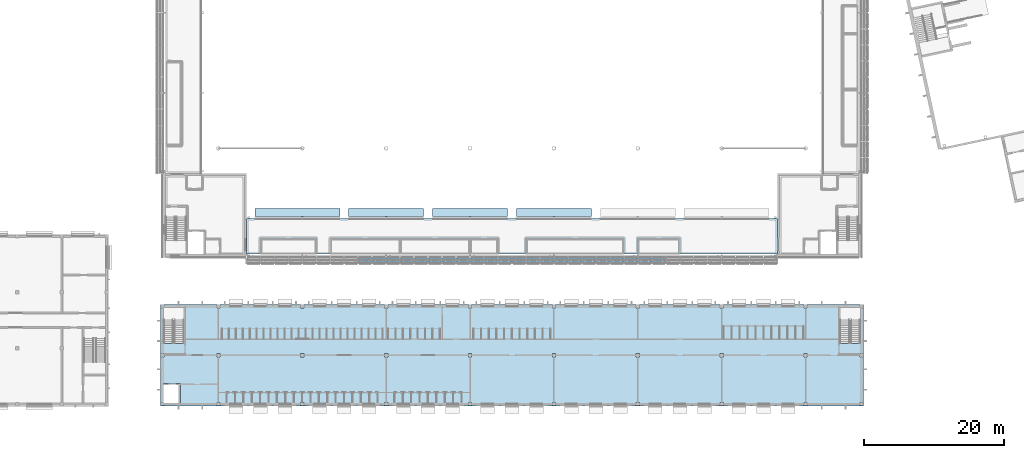
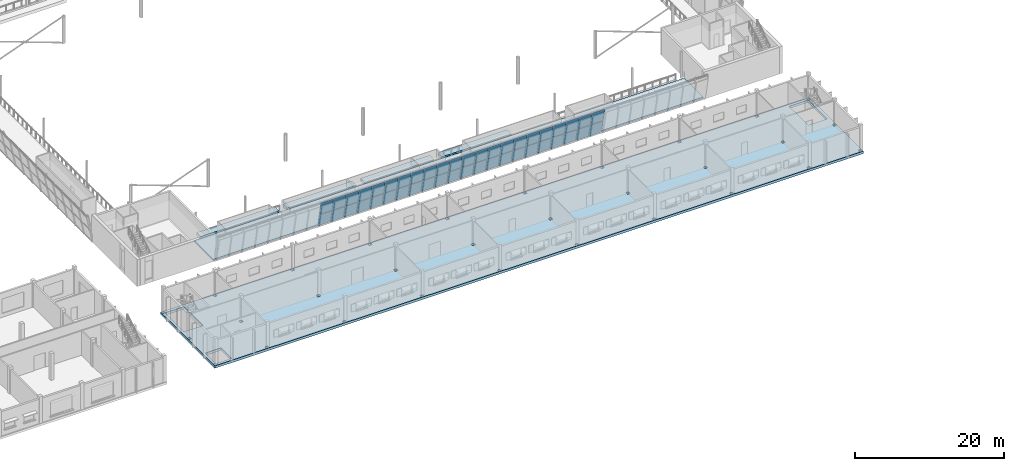
# One storey, part 50 of 115: 44 plates, 6 slabs, 2 elements without a shape of their own.
"""IFC4 building model written with IfcOpenShell, lengths in metres."""

from ifc_helpers import new_model, si_unit, direction, frame, origin, place, context, subcontext, project, spatial, polyline, outline, extrude, material, layer, layer_set, type_object, element, aggregate, save


model = new_model("IFC4")

# Units and contexts
model_context = context("Model", 3, precision=1e-05, world=origin(), true_north=direction((0.0, 1.0)))
body_context = subcontext(model_context, "Body", "Model", "MODEL_VIEW")
ifc_project = project(units=[si_unit("LENGTHUNIT", "METRE"), si_unit("AREAUNIT", "SQUARE_METRE"), si_unit("VOLUMEUNIT", "CUBIC_METRE"), si_unit("PLANEANGLEUNIT", "RADIAN"), si_unit("MASSUNIT", "GRAM", prefix="KILO")], contexts=[model_context])

# Site, building, storey
site_placement = place(None, origin())
site = spatial("IfcSite", under=ifc_project, at=site_placement, CompositionType="ELEMENT")
building_placement = place(site_placement, origin())
building = spatial("IfcBuilding", under=site, at=building_placement, Name="Windward Yard Aquatics Centre", CompositionType="ELEMENT")
storey_placement = place(building_placement, frame((0.0, 0.0, 5.0)))
storey = spatial("IfcBuildingStorey", under=building, at=storey_placement, Name="L01", CompositionType="ELEMENT", Elevation=5.0)

# Slabs
ifc_material_1 = material(Name="Concrete C35/45", Category="concrete")
ifc_layer_1 = layer(ifc_material_1, 0.39990234375)
ifc_layer_set_1 = layer_set([ifc_layer_1], Name="C floor slab 400")
slab_type_1 = type_object("IfcSlabType", Name="C floor slab 400", PredefinedType="FLOOR", material=ifc_layer_set_1)
slab_1_placement = place(storey_placement, frame((0.0, 0.0, -0.39990234375)))
element("IfcSlab", 1, at=slab_1_placement, inside=storey, type_object=slab_type_1, Name="C.S.L01", PredefinedType="FLOOR", context=body_context, shape_type="SweptSolid", body=[
    extrude(outline(polyline([(51.72509765625, 4.72509765625), (152.27490234375, 4.72509765625), (152.27490234375, 19.27490234375), (51.72509765625, 19.27490234375), (51.72509765625, 4.72509765625)]), holes=[polyline([(51.77490234375, 4.77490234375), (51.77490234375, 5.22509765625), (52.14990234375, 5.22509765625), (52.14990234375, 7.949951171875), (54.550048828125, 7.949951171875), (54.550048828125, 5.14990234375), (52.22509765625, 5.14990234375), (52.22509765625, 4.77490234375), (51.77490234375, 4.77490234375)]), polyline([(95.77490234375, 4.77490234375), (95.77490234375, 5.22509765625), (96.22509765625, 5.22509765625), (96.22509765625, 4.77490234375), (95.77490234375, 4.77490234375)]), polyline([(59.77490234375, 4.77490234375), (59.77490234375, 5.22509765625), (60.22509765625, 5.22509765625), (60.22509765625, 4.77490234375), (59.77490234375, 4.77490234375)]), polyline([(71.77490234375, 4.77490234375), (71.77490234375, 5.22509765625), (72.22509765625, 5.22509765625), (72.22509765625, 4.77490234375), (71.77490234375, 4.77490234375)]), polyline([(83.77490234375, 4.77490234375), (83.77490234375, 5.22509765625), (84.22509765625, 5.22509765625), (84.22509765625, 4.77490234375), (83.77490234375, 4.77490234375)]), polyline([(95.77490234375, 11.77490234375), (95.77490234375, 12.22509765625), (96.22509765625, 12.22509765625), (96.22509765625, 11.77490234375), (95.77490234375, 11.77490234375)]), polyline([(59.77490234375, 11.77490234375), (59.77490234375, 12.22509765625), (60.22509765625, 12.22509765625), (60.22509765625, 11.77490234375), (59.77490234375, 11.77490234375)]), polyline([(51.77490234375, 11.77490234375), (51.77490234375, 12.22509765625), (52.22509765625, 12.22509765625), (52.22509765625, 11.77490234375), (51.77490234375, 11.77490234375)]), polyline([(71.77490234375, 11.77490234375), (71.77490234375, 12.22509765625), (72.22509765625, 12.22509765625), (72.22509765625, 11.77490234375), (71.77490234375, 11.77490234375)]), polyline([(83.77490234375, 11.77490234375), (83.77490234375, 12.22509765625), (84.22509765625, 12.22509765625), (84.22509765625, 11.77490234375), (83.77490234375, 11.77490234375)]), polyline([(51.77490234375, 18.77490234375), (51.77490234375, 19.22509765625), (52.22509765625, 19.22509765625), (52.22509765625, 18.800048828125), (55.10009765625, 18.800048828125), (55.10009765625, 13.7099609375), (52.14990234375, 13.7099609375), (52.14990234375, 18.77490234375), (51.77490234375, 18.77490234375)]), polyline([(71.77490234375, 18.77490234375), (71.77490234375, 19.22509765625), (72.22509765625, 19.22509765625), (72.22509765625, 18.77490234375), (71.77490234375, 18.77490234375)]), polyline([(95.77490234375, 18.77490234375), (95.77490234375, 19.22509765625), (96.22509765625, 19.22509765625), (96.22509765625, 18.77490234375), (95.77490234375, 18.77490234375)]), polyline([(83.77490234375, 18.77490234375), (83.77490234375, 19.22509765625), (84.22509765625, 19.22509765625), (84.22509765625, 18.77490234375), (83.77490234375, 18.77490234375)]), polyline([(59.77490234375, 18.77490234375), (59.77490234375, 19.22509765625), (60.22509765625, 19.22509765625), (60.22509765625, 18.77490234375), (59.77490234375, 18.77490234375)]), polyline([(107.77490234375, 4.77490234375), (107.77490234375, 5.22509765625), (108.22509765625, 5.22509765625), (108.22509765625, 4.77490234375), (107.77490234375, 4.77490234375)]), polyline([(119.77490234375, 4.77490234375), (119.77490234375, 5.22509765625), (120.22509765625, 5.22509765625), (120.22509765625, 4.77490234375), (119.77490234375, 4.77490234375)]), polyline([(131.77490234375, 4.77490234375), (131.77490234375, 5.22509765625), (132.22509765625, 5.22509765625), (132.22509765625, 4.77490234375), (131.77490234375, 4.77490234375)]), polyline([(143.77490234375, 4.77490234375), (143.77490234375, 5.22509765625), (144.22509765625, 5.22509765625), (144.22509765625, 4.77490234375), (143.77490234375, 4.77490234375)]), polyline([(151.77490234375, 4.77490234375), (151.77490234375, 5.22509765625), (152.22509765625, 5.22509765625), (152.22509765625, 4.77490234375), (151.77490234375, 4.77490234375)]), polyline([(107.77490234375, 11.77490234375), (107.77490234375, 12.22509765625), (108.22509765625, 12.22509765625), (108.22509765625, 11.77490234375), (107.77490234375, 11.77490234375)]), polyline([(119.77490234375, 11.77490234375), (119.77490234375, 12.22509765625), (120.22509765625, 12.22509765625), (120.22509765625, 11.77490234375), (119.77490234375, 11.77490234375)]), polyline([(131.77490234375, 11.77490234375), (131.77490234375, 12.22509765625), (132.22509765625, 12.22509765625), (132.22509765625, 11.77490234375), (131.77490234375, 11.77490234375)]), polyline([(143.77490234375, 11.77490234375), (143.77490234375, 12.22509765625), (144.22509765625, 12.22509765625), (144.22509765625, 11.77490234375), (143.77490234375, 11.77490234375)]), polyline([(151.77490234375, 11.77490234375), (151.77490234375, 12.22509765625), (152.22509765625, 12.22509765625), (152.22509765625, 11.77490234375), (151.77490234375, 11.77490234375)]), polyline([(148.89990234375, 13.7099609375), (148.89990234375, 18.800048828125), (151.77490234375, 18.800048828125), (151.77490234375, 19.22509765625), (152.22509765625, 19.22509765625), (152.22509765625, 18.77490234375), (151.85009765625, 18.77490234375), (151.85009765625, 13.7099609375), (148.89990234375, 13.7099609375)]), polyline([(107.77490234375, 18.77490234375), (107.77490234375, 19.22509765625), (108.22509765625, 19.22509765625), (108.22509765625, 18.77490234375), (107.77490234375, 18.77490234375)]), polyline([(119.77490234375, 18.77490234375), (119.77490234375, 19.22509765625), (120.22509765625, 19.22509765625), (120.22509765625, 18.77490234375), (119.77490234375, 18.77490234375)]), polyline([(131.77490234375, 18.77490234375), (131.77490234375, 19.22509765625), (132.22509765625, 19.22509765625), (132.22509765625, 18.77490234375), (131.77490234375, 18.77490234375)]), polyline([(143.77490234375, 18.77490234375), (143.77490234375, 19.22509765625), (144.22509765625, 19.22509765625), (144.22509765625, 18.77490234375), (143.77490234375, 18.77490234375)])]), origin(), (0.0, 0.0, 1.0), 0.39990234375),
])
ifc_layer_2 = layer(ifc_material_1, 0.25)
ifc_layer_set_2 = layer_set([ifc_layer_2], Name="H concourse slab 250 C35/45")
slab_type_2 = type_object("IfcSlabType", Name="H concourse slab 250 C35/45", PredefinedType="FLOOR", material=ifc_layer_set_2)
slab_2_placement = place(storey_placement, frame((0.0, 0.0, -0.25)))
element("IfcSlab", 2, at=slab_2_placement, inside=storey, type_object=slab_type_2, Name="H.CS.S", PredefinedType="FLOOR", context=body_context, shape_type="SweptSolid", body=[
    extrude(outline(polyline([(64.0, 26.449951171875), (140.0, 26.449951171875), (140.0, 31.5595703125), (64.0, 31.5595703125), (64.0, 26.449951171875)])), origin(), (0.0, 0.0, 1.0), 0.25),
])
ifc_layer_3 = layer(ifc_material_1, 0.51611328125)
ifc_layer_set_3 = layer_set([ifc_layer_3], Name="H gangway slab 516 C35/45")
slab_type_3 = type_object("IfcSlabType", Name="H gangway slab 516 C35/45", PredefinedType="FLOOR", material=ifc_layer_set_3)
slab_3_placement = place(storey_placement, frame((0.0, 0.0, -0.51611328125)))
element("IfcSlab", 3, at=slab_3_placement, inside=storey, type_object=slab_type_3, Name="H.GW.S.1", PredefinedType="FLOOR", context=body_context, shape_type="SweptSolid", body=[
    extrude(outline(polyline([(65.25, 31.859619140625), (77.375, 31.859619140625), (77.375, 33.0), (65.25, 33.0), (65.25, 31.859619140625)])), origin(), (0.0, 0.0, 1.0), 0.51611328125),
])
slab_4_placement = place(storey_placement, frame((0.0, 0.0, -0.51611328125)))
element("IfcSlab", 4, at=slab_4_placement, inside=storey, type_object=slab_type_3, Name="H.GW.S.2", PredefinedType="FLOOR", context=body_context, shape_type="SweptSolid", body=[
    extrude(outline(polyline([(78.625, 31.859619140625), (89.375, 31.859619140625), (89.375, 33.0), (78.625, 33.0), (78.625, 31.859619140625)])), origin(), (0.0, 0.0, 1.0), 0.51611328125),
])
slab_5_placement = place(storey_placement, frame((0.0, 0.0, -0.51611328125)))
element("IfcSlab", 5, at=slab_5_placement, inside=storey, type_object=slab_type_3, Name="H.GW.S.3", PredefinedType="FLOOR", context=body_context, shape_type="SweptSolid", body=[
    extrude(outline(polyline([(90.625, 31.859619140625), (101.375, 31.859619140625), (101.375, 33.0), (90.625, 33.0), (90.625, 31.859619140625)])), origin(), (0.0, 0.0, 1.0), 0.51611328125),
])
slab_6_placement = place(storey_placement, frame((0.0, 0.0, -0.51611328125)))
element("IfcSlab", 6, at=slab_6_placement, inside=storey, type_object=slab_type_3, Name="H.GW.S.4", PredefinedType="FLOOR", context=body_context, shape_type="SweptSolid", body=[
    extrude(outline(polyline([(102.625, 31.859619140625), (113.375, 31.859619140625), (113.375, 33.0), (102.625, 33.0), (102.625, 31.859619140625)])), origin(), (0.0, 0.0, 1.0), 0.51611328125),
])

# Curtain wall, plates
ifc_material_2 = material(Name="Glass and aluminium curtain wall", Category="aluminium")
ifc_layer_4 = layer(ifc_material_2, 0.179931640625)
ifc_layer_set_4 = layer_set([ifc_layer_4], Name="H curtain wall tier 1 double glazed 8+16+8")
curtain_wall_type = type_object("IfcCurtainWallType", Name="H curtain wall tier 1 double glazed 8+16+8", PredefinedType="NOTDEFINED", material=ifc_layer_set_4)
curtain_wall_1_placement = place(storey_placement, origin())
curtain_wall_1 = element("IfcCurtainWall", 7, at=curtain_wall_1_placement, inside=storey, type_object=curtain_wall_type, Name="Tier 1 glazing S L01", PredefinedType="NOTDEFINED")
ifc_material_3 = material(Name="Low-iron glass", Category="glass")
ifc_layer_5 = layer(ifc_material_3, 0.008, Name="Outer pane")
ifc_material_4 = material(Name="Argon-filled cavity")
ifc_layer_6 = layer(ifc_material_4, 0.016, Name="Cavity")
ifc_layer_7 = layer(ifc_material_3, 0.008, Name="Inner pane")
ifc_layer_set_5 = layer_set([ifc_layer_5, ifc_layer_6, ifc_layer_7], Name="H tier 1 glass low-e double glazed unit 32")
plate_type = type_object("IfcPlateType", Name="H tier 1 glass low-e double glazed unit 32", PredefinedType="CURTAIN_PANEL", material=ifc_layer_set_5)
plate_1_placement = place(storey_placement, frame((80.0302734375, 25.669921875, 2.154296875), z_axis=(0.0, 0.979937049238, 0.19930724907), x_axis=(0.0, 0.19930724907, -0.979937049238)))
plate_1 = element("IfcPlate", 8, at=plate_1_placement, type_object=plate_type, Name="G1SA panel 9.1", PredefinedType="CURTAIN_PANEL", context=body_context, shape_type="SweptSolid", body=[
    extrude(outline(polyline([(0.0, 0.0), (2.088533, 0.0), (2.088533, -1.934814), (0.0, -1.934814), (0.0, 0.0)])), origin(), (0.0, 0.0, -1.0), 0.031982421875),
])
plate_2_placement = place(storey_placement, frame((80.0302734375, 25.232177734375, 4.30517578125), z_axis=(0.0, 0.979920842931, 0.199386914289), x_axis=(0.0, 0.199386914289, -0.979920842931)))
plate_2 = element("IfcPlate", 9, at=plate_2_placement, type_object=plate_type, Name="G1SA panel 9.2", PredefinedType="CURTAIN_PANEL", context=body_context, shape_type="SweptSolid", body=[
    extrude(outline(polyline([(0.0, 0.0), (2.095045, 0.0), (2.095045, -1.934814), (0.0, -1.934814), (0.0, 0.0)])), origin(), (0.0, 0.0, -1.0), 0.031982421875),
])
plate_3_placement = place(storey_placement, frame((82.030029296875, 25.669921875, 2.154296875), z_axis=(0.0, 0.979937049238, 0.19930724907), x_axis=(0.0, 0.19930724907, -0.979937049238)))
plate_3 = element("IfcPlate", 10, at=plate_3_placement, type_object=plate_type, Name="G1SA panel 10.1", PredefinedType="CURTAIN_PANEL", context=body_context, shape_type="SweptSolid", body=[
    extrude(outline(polyline([(0.0, 0.0), (2.088533, 0.0), (2.088533, -1.934814), (0.0, -1.934814), (0.0, 0.0)])), origin(), (0.0, 0.0, -1.0), 0.031982421875),
])
plate_4_placement = place(storey_placement, frame((82.030029296875, 25.232177734375, 4.30517578125), z_axis=(0.0, 0.979920842931, 0.199386914289), x_axis=(0.0, 0.199386914289, -0.979920842931)))
plate_4 = element("IfcPlate", 11, at=plate_4_placement, type_object=plate_type, Name="G1SA panel 10.2", PredefinedType="CURTAIN_PANEL", context=body_context, shape_type="SweptSolid", body=[
    extrude(outline(polyline([(0.0, 0.0), (2.095045, 0.0), (2.095045, -1.934814), (0.0, -1.934814), (0.0, 0.0)])), origin(), (0.0, 0.0, -1.0), 0.031982421875),
])
plate_5_placement = place(storey_placement, frame((84.02978515625, 25.669921875, 2.154296875), z_axis=(0.0, 0.979937049238, 0.19930724907), x_axis=(0.0, 0.19930724907, -0.979937049238)))
plate_5 = element("IfcPlate", 12, at=plate_5_placement, type_object=plate_type, Name="G1SA panel 11.1", PredefinedType="CURTAIN_PANEL", context=body_context, shape_type="SweptSolid", body=[
    extrude(outline(polyline([(0.0, 0.0), (2.088533, 0.0), (2.088533, -1.934814), (0.0, -1.934814), (0.0, 0.0)])), origin(), (0.0, 0.0, -1.0), 0.031982421875),
])
plate_6_placement = place(storey_placement, frame((84.02978515625, 25.232177734375, 4.30517578125), z_axis=(0.0, 0.979920842931, 0.199386914289), x_axis=(0.0, 0.199386914289, -0.979920842931)))
plate_6 = element("IfcPlate", 13, at=plate_6_placement, type_object=plate_type, Name="G1SA panel 11.2", PredefinedType="CURTAIN_PANEL", context=body_context, shape_type="SweptSolid", body=[
    extrude(outline(polyline([(0.0, 0.0), (2.095045, 0.0), (2.095045, -1.934814), (0.0, -1.934814), (0.0, 0.0)])), origin(), (0.0, 0.0, -1.0), 0.031982421875),
])
plate_7_placement = place(storey_placement, frame((86.029541015625, 25.669921875, 2.154296875), z_axis=(0.0, 0.979937049238, 0.19930724907), x_axis=(0.0, 0.19930724907, -0.979937049238)))
plate_7 = element("IfcPlate", 14, at=plate_7_placement, type_object=plate_type, Name="G1SA panel 12.1", PredefinedType="CURTAIN_PANEL", context=body_context, shape_type="SweptSolid", body=[
    extrude(outline(polyline([(0.0, 0.0), (2.088533, 0.0), (2.088533, -1.934814), (0.0, -1.934814), (0.0, 0.0)])), origin(), (0.0, 0.0, -1.0), 0.031982421875),
])
plate_8_placement = place(storey_placement, frame((86.029541015625, 25.232177734375, 4.30517578125), z_axis=(0.0, 0.979920842931, 0.199386914289), x_axis=(0.0, 0.199386914289, -0.979920842931)))
plate_8 = element("IfcPlate", 15, at=plate_8_placement, type_object=plate_type, Name="G1SA panel 12.2", PredefinedType="CURTAIN_PANEL", context=body_context, shape_type="SweptSolid", body=[
    extrude(outline(polyline([(0.0, 0.0), (2.095045, 0.0), (2.095045, -1.934814), (0.0, -1.934814), (0.0, 0.0)])), origin(), (0.0, 0.0, -1.0), 0.031982421875),
])
plate_9_placement = place(storey_placement, frame((88.029296875, 25.669921875, 2.154296875), z_axis=(0.0, 0.979937049238, 0.19930724907), x_axis=(0.0, 0.19930724907, -0.979937049238)))
plate_9 = element("IfcPlate", 16, at=plate_9_placement, type_object=plate_type, Name="G1SA panel 13.1", PredefinedType="CURTAIN_PANEL", context=body_context, shape_type="SweptSolid", body=[
    extrude(outline(polyline([(0.0, 0.0), (2.088533, 0.0), (2.088533, -1.934814), (0.0, -1.934814), (0.0, 0.0)])), origin(), (0.0, 0.0, -1.0), 0.031982421875),
])
plate_10_placement = place(storey_placement, frame((88.029296875, 25.232177734375, 4.30517578125), z_axis=(0.0, 0.979920842931, 0.199386914289), x_axis=(0.0, 0.199386914289, -0.979920842931)))
plate_10 = element("IfcPlate", 17, at=plate_10_placement, type_object=plate_type, Name="G1SA panel 13.2", PredefinedType="CURTAIN_PANEL", context=body_context, shape_type="SweptSolid", body=[
    extrude(outline(polyline([(0.0, 0.0), (2.095045, 0.0), (2.095045, -1.934814), (0.0, -1.934814), (0.0, 0.0)])), origin(), (0.0, 0.0, -1.0), 0.031982421875),
])
plate_11_placement = place(storey_placement, frame((90.029052734375, 25.669921875, 2.154296875), z_axis=(0.0, 0.979937049238, 0.19930724907), x_axis=(0.0, 0.19930724907, -0.979937049238)))
plate_11 = element("IfcPlate", 18, at=plate_11_placement, type_object=plate_type, Name="G1SA panel 14.1", PredefinedType="CURTAIN_PANEL", context=body_context, shape_type="SweptSolid", body=[
    extrude(outline(polyline([(0.0, 0.0), (2.088533, 0.0), (2.088533, -1.934814), (0.0, -1.934814), (0.0, 0.0)])), origin(), (0.0, 0.0, -1.0), 0.031982421875),
])
plate_12_placement = place(storey_placement, frame((90.029052734375, 25.232177734375, 4.30517578125), z_axis=(0.0, 0.979920842931, 0.199386914289), x_axis=(0.0, 0.199386914289, -0.979920842931)))
plate_12 = element("IfcPlate", 19, at=plate_12_placement, type_object=plate_type, Name="G1SA panel 14.2", PredefinedType="CURTAIN_PANEL", context=body_context, shape_type="SweptSolid", body=[
    extrude(outline(polyline([(0.0, 0.0), (2.095045, 0.0), (2.095045, -1.934814), (0.0, -1.934814), (0.0, 0.0)])), origin(), (0.0, 0.0, -1.0), 0.031982421875),
])
plate_13_placement = place(storey_placement, frame((92.02880859375, 25.669921875, 2.154296875), z_axis=(0.0, 0.979937049238, 0.19930724907), x_axis=(0.0, 0.19930724907, -0.979937049238)))
plate_13 = element("IfcPlate", 20, at=plate_13_placement, type_object=plate_type, Name="G1SA panel 15.1", PredefinedType="CURTAIN_PANEL", context=body_context, shape_type="SweptSolid", body=[
    extrude(outline(polyline([(0.0, 0.0), (2.088533, 0.0), (2.088533, -1.934814), (0.0, -1.934814), (0.0, 0.0)])), origin(), (0.0, 0.0, -1.0), 0.031982421875),
])
plate_14_placement = place(storey_placement, frame((92.02880859375, 25.232177734375, 4.30517578125), z_axis=(0.0, 0.979920842931, 0.199386914289), x_axis=(0.0, 0.199386914289, -0.979920842931)))
plate_14 = element("IfcPlate", 21, at=plate_14_placement, type_object=plate_type, Name="G1SA panel 15.2", PredefinedType="CURTAIN_PANEL", context=body_context, shape_type="SweptSolid", body=[
    extrude(outline(polyline([(0.0, 0.0), (2.095045, 0.0), (2.095045, -1.934814), (0.0, -1.934814), (0.0, 0.0)])), origin(), (0.0, 0.0, -1.0), 0.031982421875),
])
plate_15_placement = place(storey_placement, frame((94.028564453125, 25.669921875, 2.154296875), z_axis=(0.0, 0.979937049238, 0.19930724907), x_axis=(0.0, 0.19930724907, -0.979937049238)))
plate_15 = element("IfcPlate", 22, at=plate_15_placement, type_object=plate_type, Name="G1SA panel 16.1", PredefinedType="CURTAIN_PANEL", context=body_context, shape_type="SweptSolid", body=[
    extrude(outline(polyline([(0.0, 0.0), (2.088533, 0.0), (2.088533, -1.934814), (0.0, -1.934814), (0.0, 0.0)])), origin(), (0.0, 0.0, -1.0), 0.031982421875),
])
plate_16_placement = place(storey_placement, frame((94.028564453125, 25.232177734375, 4.30517578125), z_axis=(0.0, 0.979920842931, 0.199386914289), x_axis=(0.0, 0.199386914289, -0.979920842931)))
plate_16 = element("IfcPlate", 23, at=plate_16_placement, type_object=plate_type, Name="G1SA panel 16.2", PredefinedType="CURTAIN_PANEL", context=body_context, shape_type="SweptSolid", body=[
    extrude(outline(polyline([(0.0, 0.0), (2.095045, 0.0), (2.095045, -1.934814), (0.0, -1.934814), (0.0, 0.0)])), origin(), (0.0, 0.0, -1.0), 0.031982421875),
])
plate_17_placement = place(storey_placement, frame((96.0283203125, 25.669921875, 2.154296875), z_axis=(0.0, 0.979937049238, 0.19930724907), x_axis=(0.0, 0.19930724907, -0.979937049238)))
plate_17 = element("IfcPlate", 24, at=plate_17_placement, type_object=plate_type, Name="G1SA panel 17.1", PredefinedType="CURTAIN_PANEL", context=body_context, shape_type="SweptSolid", body=[
    extrude(outline(polyline([(0.0, 0.0), (2.088533, 0.0), (2.088533, -1.934814), (0.0, -1.934814), (0.0, 0.0)])), origin(), (0.0, 0.0, -1.0), 0.031982421875),
])
plate_18_placement = place(storey_placement, frame((96.0283203125, 25.232177734375, 4.30517578125), z_axis=(0.0, 0.979920842931, 0.199386914289), x_axis=(0.0, 0.199386914289, -0.979920842931)))
plate_18 = element("IfcPlate", 25, at=plate_18_placement, type_object=plate_type, Name="G1SA panel 17.2", PredefinedType="CURTAIN_PANEL", context=body_context, shape_type="SweptSolid", body=[
    extrude(outline(polyline([(0.0, 0.0), (2.095045, 0.0), (2.095045, -1.934814), (0.0, -1.934814), (0.0, 0.0)])), origin(), (0.0, 0.0, -1.0), 0.031982421875),
])
plate_19_placement = place(storey_placement, frame((98.028076171875, 25.669921875, 2.154296875), z_axis=(0.0, 0.979937049238, 0.19930724907), x_axis=(0.0, 0.19930724907, -0.979937049238)))
plate_19 = element("IfcPlate", 26, at=plate_19_placement, type_object=plate_type, Name="G1SA panel 18.1", PredefinedType="CURTAIN_PANEL", context=body_context, shape_type="SweptSolid", body=[
    extrude(outline(polyline([(0.0, 0.0), (2.088533, 0.0), (2.088533, -1.93457), (0.0, -1.93457), (0.0, 0.0)])), origin(), (0.0, 0.0, -1.0), 0.031982421875),
])
plate_20_placement = place(storey_placement, frame((98.028076171875, 25.232177734375, 4.30517578125), z_axis=(0.0, 0.979920842931, 0.199386914289), x_axis=(0.0, 0.199386914289, -0.979920842931)))
plate_20 = element("IfcPlate", 27, at=plate_20_placement, type_object=plate_type, Name="G1SA panel 18.2", PredefinedType="CURTAIN_PANEL", context=body_context, shape_type="SweptSolid", body=[
    extrude(outline(polyline([(0.0, 0.0), (2.095045, 0.0), (2.095045, -1.93457), (0.0, -1.93457), (0.0, 0.0)])), origin(), (0.0, 0.0, -1.0), 0.031982421875),
])
plate_21_placement = place(storey_placement, frame((100.02783203125, 25.669921875, 2.154296875), z_axis=(0.0, 0.979937049238, 0.19930724907), x_axis=(0.0, 0.19930724907, -0.979937049238)))
plate_21 = element("IfcPlate", 28, at=plate_21_placement, type_object=plate_type, Name="G1SA panel 19.1", PredefinedType="CURTAIN_PANEL", context=body_context, shape_type="SweptSolid", body=[
    extrude(outline(polyline([(0.0, 0.0), (2.088533, 0.0), (2.088533, -1.9021), (0.0, -1.9021), (0.0, 0.0)])), origin(), (0.0, 0.0, -1.0), 0.031982421875),
])
plate_22_placement = place(storey_placement, frame((100.02783203125, 25.232177734375, 4.30517578125), z_axis=(0.0, 0.979920842931, 0.199386914289), x_axis=(0.0, 0.199386914289, -0.979920842931)))
plate_22 = element("IfcPlate", 29, at=plate_22_placement, type_object=plate_type, Name="G1SA panel 19.2", PredefinedType="CURTAIN_PANEL", context=body_context, shape_type="SweptSolid", body=[
    extrude(outline(polyline([(0.0, 0.0), (2.095045, 0.0), (2.095045, -1.9021), (0.0, -1.9021), (0.0, 0.0)])), origin(), (0.0, 0.0, -1.0), 0.031982421875),
])
aggregate(curtain_wall_1, [plate_1, plate_2, plate_3, plate_4, plate_5, plate_6, plate_7, plate_8, plate_9, plate_10, plate_11, plate_12, plate_13, plate_14, plate_15, plate_16, plate_17, plate_18, plate_19, plate_20, plate_21, plate_22])

curtain_wall_2_placement = place(storey_placement, origin())
curtain_wall_2 = element("IfcCurtainWall", 30, at=curtain_wall_2_placement, inside=storey, type_object=curtain_wall_type, Name="Tier 1 glazing S L01", PredefinedType="NOTDEFINED")
plate_23_placement = place(storey_placement, frame((102.070068359375, 25.669921875, 2.154296875), z_axis=(0.0, 0.979937049238, 0.19930724907), x_axis=(0.0, 0.19930724907, -0.979937049238)))
plate_23 = element("IfcPlate", 31, at=plate_23_placement, type_object=plate_type, Name="G1SB panel 1.1", PredefinedType="CURTAIN_PANEL", context=body_context, shape_type="SweptSolid", body=[
    extrude(outline(polyline([(0.0, 0.0), (2.088533, 0.0), (2.088533, -1.9021), (0.0, -1.9021), (0.0, 0.0)])), origin(), (0.0, 0.0, -1.0), 0.031982421875),
])
plate_24_placement = place(storey_placement, frame((102.070068359375, 25.232177734375, 4.30517578125), z_axis=(0.0, 0.979920842931, 0.199386914289), x_axis=(0.0, 0.199386914289, -0.979920842931)))
plate_24 = element("IfcPlate", 32, at=plate_24_placement, type_object=plate_type, Name="G1SB panel 1.2", PredefinedType="CURTAIN_PANEL", context=body_context, shape_type="SweptSolid", body=[
    extrude(outline(polyline([(0.0, 0.0), (2.095045, 0.0), (2.095045, -1.9021), (0.0, -1.9021), (0.0, 0.0)])), origin(), (0.0, 0.0, -1.0), 0.031982421875),
])
plate_25_placement = place(storey_placement, frame((104.037353515625, 25.669921875, 2.154296875), z_axis=(0.0, 0.979937049238, 0.19930724907), x_axis=(0.0, 0.19930724907, -0.979937049238)))
plate_25 = element("IfcPlate", 33, at=plate_25_placement, type_object=plate_type, Name="G1SB panel 2.1", PredefinedType="CURTAIN_PANEL", context=body_context, shape_type="SweptSolid", body=[
    extrude(outline(polyline([(0.0, 0.0), (2.088533, 0.0), (2.088533, -1.93457), (0.0, -1.93457), (0.0, 0.0)])), origin(), (0.0, 0.0, -1.0), 0.031982421875),
])
plate_26_placement = place(storey_placement, frame((104.037353515625, 25.232177734375, 4.30517578125), z_axis=(0.0, 0.979920842931, 0.199386914289), x_axis=(0.0, 0.199386914289, -0.979920842931)))
plate_26 = element("IfcPlate", 34, at=plate_26_placement, type_object=plate_type, Name="G1SB panel 2.2", PredefinedType="CURTAIN_PANEL", context=body_context, shape_type="SweptSolid", body=[
    extrude(outline(polyline([(0.0, 0.0), (2.095045, 0.0), (2.095045, -1.93457), (0.0, -1.93457), (0.0, 0.0)])), origin(), (0.0, 0.0, -1.0), 0.031982421875),
])
plate_27_placement = place(storey_placement, frame((106.036865234375, 25.669921875, 2.154296875), z_axis=(0.0, 0.979937049238, 0.19930724907), x_axis=(0.0, 0.19930724907, -0.979937049238)))
plate_27 = element("IfcPlate", 35, at=plate_27_placement, type_object=plate_type, Name="G1SB panel 3.1", PredefinedType="CURTAIN_PANEL", context=body_context, shape_type="SweptSolid", body=[
    extrude(outline(polyline([(0.0, 0.0), (2.088533, 0.0), (2.088533, -1.934814), (0.0, -1.934814), (0.0, 0.0)])), origin(), (0.0, 0.0, -1.0), 0.031982421875),
])
plate_28_placement = place(storey_placement, frame((106.036865234375, 25.232177734375, 4.30517578125), z_axis=(0.0, 0.979920842931, 0.199386914289), x_axis=(0.0, 0.199386914289, -0.979920842931)))
plate_28 = element("IfcPlate", 36, at=plate_28_placement, type_object=plate_type, Name="G1SB panel 3.2", PredefinedType="CURTAIN_PANEL", context=body_context, shape_type="SweptSolid", body=[
    extrude(outline(polyline([(0.0, 0.0), (2.095045, 0.0), (2.095045, -1.934814), (0.0, -1.934814), (0.0, 0.0)])), origin(), (0.0, 0.0, -1.0), 0.031982421875),
])
plate_29_placement = place(storey_placement, frame((108.03662109375, 25.669921875, 2.154296875), z_axis=(0.0, 0.979937049238, 0.19930724907), x_axis=(0.0, 0.19930724907, -0.979937049238)))
plate_29 = element("IfcPlate", 37, at=plate_29_placement, type_object=plate_type, Name="G1SB panel 4.1", PredefinedType="CURTAIN_PANEL", context=body_context, shape_type="SweptSolid", body=[
    extrude(outline(polyline([(0.0, 0.0), (2.088533, 0.0), (2.088533, -1.934814), (0.0, -1.934814), (0.0, 0.0)])), origin(), (0.0, 0.0, -1.0), 0.031982421875),
])
plate_30_placement = place(storey_placement, frame((108.03662109375, 25.232177734375, 4.30517578125), z_axis=(0.0, 0.979920842931, 0.199386914289), x_axis=(0.0, 0.199386914289, -0.979920842931)))
plate_30 = element("IfcPlate", 38, at=plate_30_placement, type_object=plate_type, Name="G1SB panel 4.2", PredefinedType="CURTAIN_PANEL", context=body_context, shape_type="SweptSolid", body=[
    extrude(outline(polyline([(0.0, 0.0), (2.095045, 0.0), (2.095045, -1.934814), (0.0, -1.934814), (0.0, 0.0)])), origin(), (0.0, 0.0, -1.0), 0.031982421875),
])
plate_31_placement = place(storey_placement, frame((110.036376953125, 25.669921875, 2.154296875), z_axis=(0.0, 0.979937049238, 0.19930724907), x_axis=(0.0, 0.19930724907, -0.979937049238)))
plate_31 = element("IfcPlate", 39, at=plate_31_placement, type_object=plate_type, Name="G1SB panel 5.1", PredefinedType="CURTAIN_PANEL", context=body_context, shape_type="SweptSolid", body=[
    extrude(outline(polyline([(0.0, 0.0), (2.088533, 0.0), (2.088533, -1.934814), (0.0, -1.934814), (0.0, 0.0)])), origin(), (0.0, 0.0, -1.0), 0.031982421875),
])
plate_32_placement = place(storey_placement, frame((110.036376953125, 25.232177734375, 4.30517578125), z_axis=(0.0, 0.979920842931, 0.199386914289), x_axis=(0.0, 0.199386914289, -0.979920842931)))
plate_32 = element("IfcPlate", 40, at=plate_32_placement, type_object=plate_type, Name="G1SB panel 5.2", PredefinedType="CURTAIN_PANEL", context=body_context, shape_type="SweptSolid", body=[
    extrude(outline(polyline([(0.0, 0.0), (2.095045, 0.0), (2.095045, -1.934814), (0.0, -1.934814), (0.0, 0.0)])), origin(), (0.0, 0.0, -1.0), 0.031982421875),
])
plate_33_placement = place(storey_placement, frame((112.0361328125, 25.669921875, 2.154296875), z_axis=(0.0, 0.979937049238, 0.19930724907), x_axis=(0.0, 0.19930724907, -0.979937049238)))
plate_33 = element("IfcPlate", 41, at=plate_33_placement, type_object=plate_type, Name="G1SB panel 6.1", PredefinedType="CURTAIN_PANEL", context=body_context, shape_type="SweptSolid", body=[
    extrude(outline(polyline([(0.0, 0.0), (2.088533, 0.0), (2.088533, -1.934814), (0.0, -1.934814), (0.0, 0.0)])), origin(), (0.0, 0.0, -1.0), 0.031982421875),
])
plate_34_placement = place(storey_placement, frame((112.0361328125, 25.232177734375, 4.30517578125), z_axis=(0.0, 0.979920842931, 0.199386914289), x_axis=(0.0, 0.199386914289, -0.979920842931)))
plate_34 = element("IfcPlate", 42, at=plate_34_placement, type_object=plate_type, Name="G1SB panel 6.2", PredefinedType="CURTAIN_PANEL", context=body_context, shape_type="SweptSolid", body=[
    extrude(outline(polyline([(0.0, 0.0), (2.095045, 0.0), (2.095045, -1.934814), (0.0, -1.934814), (0.0, 0.0)])), origin(), (0.0, 0.0, -1.0), 0.031982421875),
])
plate_35_placement = place(storey_placement, frame((114.035888671875, 25.669921875, 2.154296875), z_axis=(0.0, 0.979937049238, 0.19930724907), x_axis=(0.0, 0.19930724907, -0.979937049238)))
plate_35 = element("IfcPlate", 43, at=plate_35_placement, type_object=plate_type, Name="G1SB panel 7.1", PredefinedType="CURTAIN_PANEL", context=body_context, shape_type="SweptSolid", body=[
    extrude(outline(polyline([(0.0, 0.0), (2.088533, 0.0), (2.088533, -1.934814), (0.0, -1.934814), (0.0, 0.0)])), origin(), (0.0, 0.0, -1.0), 0.031982421875),
])
plate_36_placement = place(storey_placement, frame((114.035888671875, 25.232177734375, 4.30517578125), z_axis=(0.0, 0.979920842931, 0.199386914289), x_axis=(0.0, 0.199386914289, -0.979920842931)))
plate_36 = element("IfcPlate", 44, at=plate_36_placement, type_object=plate_type, Name="G1SB panel 7.2", PredefinedType="CURTAIN_PANEL", context=body_context, shape_type="SweptSolid", body=[
    extrude(outline(polyline([(0.0, 0.0), (2.095045, 0.0), (2.095045, -1.934814), (0.0, -1.934814), (0.0, 0.0)])), origin(), (0.0, 0.0, -1.0), 0.031982421875),
])
plate_37_placement = place(storey_placement, frame((116.03564453125, 25.669921875, 2.154296875), z_axis=(0.0, 0.979937049238, 0.19930724907), x_axis=(0.0, 0.19930724907, -0.979937049238)))
plate_37 = element("IfcPlate", 45, at=plate_37_placement, type_object=plate_type, Name="G1SB panel 8.1", PredefinedType="CURTAIN_PANEL", context=body_context, shape_type="SweptSolid", body=[
    extrude(outline(polyline([(0.0, 0.0), (2.088533, 0.0), (2.088533, -1.934814), (0.0, -1.934814), (0.0, 0.0)])), origin(), (0.0, 0.0, -1.0), 0.031982421875),
])
plate_38_placement = place(storey_placement, frame((116.03564453125, 25.232177734375, 4.30517578125), z_axis=(0.0, 0.979920842931, 0.199386914289), x_axis=(0.0, 0.199386914289, -0.979920842931)))
plate_38 = element("IfcPlate", 46, at=plate_38_placement, type_object=plate_type, Name="G1SB panel 8.2", PredefinedType="CURTAIN_PANEL", context=body_context, shape_type="SweptSolid", body=[
    extrude(outline(polyline([(0.0, 0.0), (2.095045, 0.0), (2.095045, -1.934814), (0.0, -1.934814), (0.0, 0.0)])), origin(), (0.0, 0.0, -1.0), 0.031982421875),
])
plate_39_placement = place(storey_placement, frame((118.035400390625, 25.669921875, 2.154296875), z_axis=(0.0, 0.979937049238, 0.19930724907), x_axis=(0.0, 0.19930724907, -0.979937049238)))
plate_39 = element("IfcPlate", 47, at=plate_39_placement, type_object=plate_type, Name="G1SB panel 9.1", PredefinedType="CURTAIN_PANEL", context=body_context, shape_type="SweptSolid", body=[
    extrude(outline(polyline([(0.0, 0.0), (2.088533, 0.0), (2.088533, -1.934814), (0.0, -1.934814), (0.0, 0.0)])), origin(), (0.0, 0.0, -1.0), 0.031982421875),
])
plate_40_placement = place(storey_placement, frame((118.035400390625, 25.232177734375, 4.30517578125), z_axis=(0.0, 0.979920842931, 0.199386914289), x_axis=(0.0, 0.199386914289, -0.979920842931)))
plate_40 = element("IfcPlate", 48, at=plate_40_placement, type_object=plate_type, Name="G1SB panel 9.2", PredefinedType="CURTAIN_PANEL", context=body_context, shape_type="SweptSolid", body=[
    extrude(outline(polyline([(0.0, 0.0), (2.095045, 0.0), (2.095045, -1.934814), (0.0, -1.934814), (0.0, 0.0)])), origin(), (0.0, 0.0, -1.0), 0.031982421875),
])
plate_41_placement = place(storey_placement, frame((120.03515625, 25.669921875, 2.154296875), z_axis=(0.0, 0.979937049238, 0.19930724907), x_axis=(0.0, 0.19930724907, -0.979937049238)))
plate_41 = element("IfcPlate", 49, at=plate_41_placement, type_object=plate_type, Name="G1SB panel 10.1", PredefinedType="CURTAIN_PANEL", context=body_context, shape_type="SweptSolid", body=[
    extrude(outline(polyline([(0.0, 0.0), (2.088533, 0.0), (2.088533, -1.934814), (0.0, -1.934814), (0.0, 0.0)])), origin(), (0.0, 0.0, -1.0), 0.031982421875),
])
plate_42_placement = place(storey_placement, frame((120.03515625, 25.232177734375, 4.30517578125), z_axis=(0.0, 0.979920842931, 0.199386914289), x_axis=(0.0, 0.199386914289, -0.979920842931)))
plate_42 = element("IfcPlate", 50, at=plate_42_placement, type_object=plate_type, Name="G1SB panel 10.2", PredefinedType="CURTAIN_PANEL", context=body_context, shape_type="SweptSolid", body=[
    extrude(outline(polyline([(0.0, 0.0), (2.095045, 0.0), (2.095045, -1.934814), (0.0, -1.934814), (0.0, 0.0)])), origin(), (0.0, 0.0, -1.0), 0.031982421875),
])
plate_43_placement = place(storey_placement, frame((122.034912109375, 25.669921875, 2.154296875), z_axis=(0.0, 0.979937049238, 0.19930724907), x_axis=(0.0, 0.19930724907, -0.979937049238)))
plate_43 = element("IfcPlate", 51, at=plate_43_placement, type_object=plate_type, Name="G1SB panel 11.1", PredefinedType="CURTAIN_PANEL", context=body_context, shape_type="SweptSolid", body=[
    extrude(outline(polyline([(0.0, 0.0), (2.088533, 0.0), (2.088533, -1.934814), (0.0, -1.934814), (0.0, 0.0)])), origin(), (0.0, 0.0, -1.0), 0.031982421875),
])
plate_44_placement = place(storey_placement, frame((122.034912109375, 25.232177734375, 4.30517578125), z_axis=(0.0, 0.979920842931, 0.199386914289), x_axis=(0.0, 0.199386914289, -0.979920842931)))
plate_44 = element("IfcPlate", 52, at=plate_44_placement, type_object=plate_type, Name="G1SB panel 11.2", PredefinedType="CURTAIN_PANEL", context=body_context, shape_type="SweptSolid", body=[
    extrude(outline(polyline([(0.0, 0.0), (2.095045, 0.0), (2.095045, -1.934814), (0.0, -1.934814), (0.0, 0.0)])), origin(), (0.0, 0.0, -1.0), 0.031982421875),
])
aggregate(curtain_wall_2, [plate_23, plate_24, plate_25, plate_26, plate_27, plate_28, plate_29, plate_30, plate_31, plate_32, plate_33, plate_34, plate_35, plate_36, plate_37, plate_38, plate_39, plate_40, plate_41, plate_42, plate_43, plate_44])

save(model, "model.ifc")
